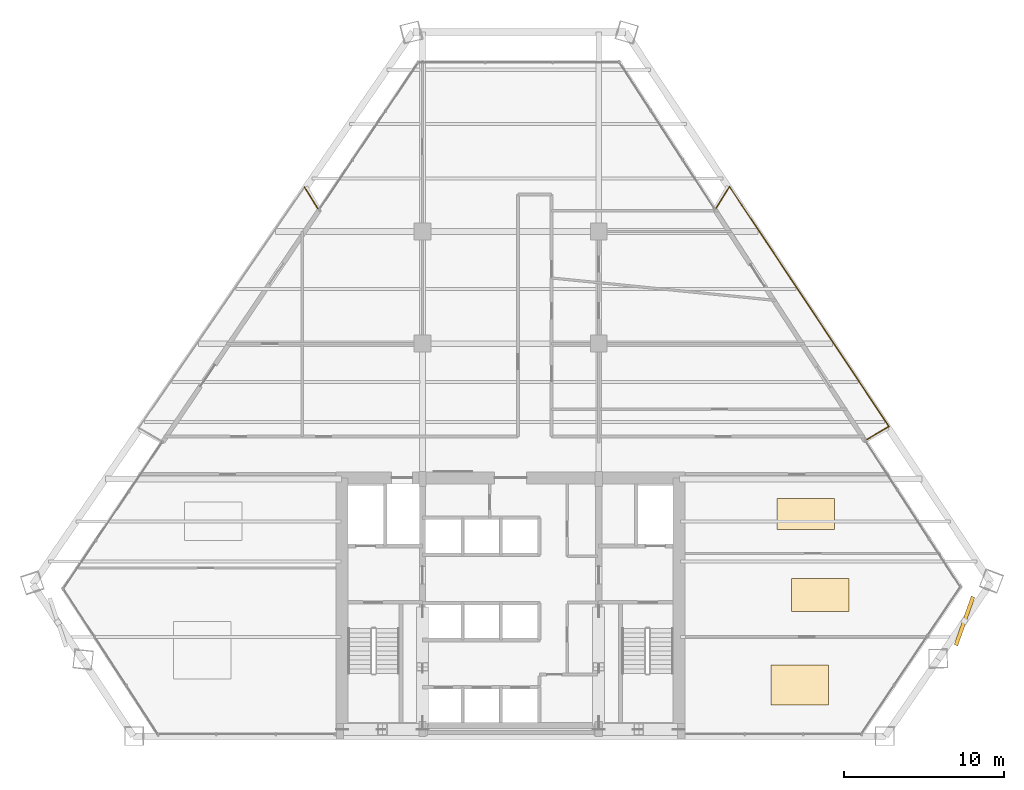
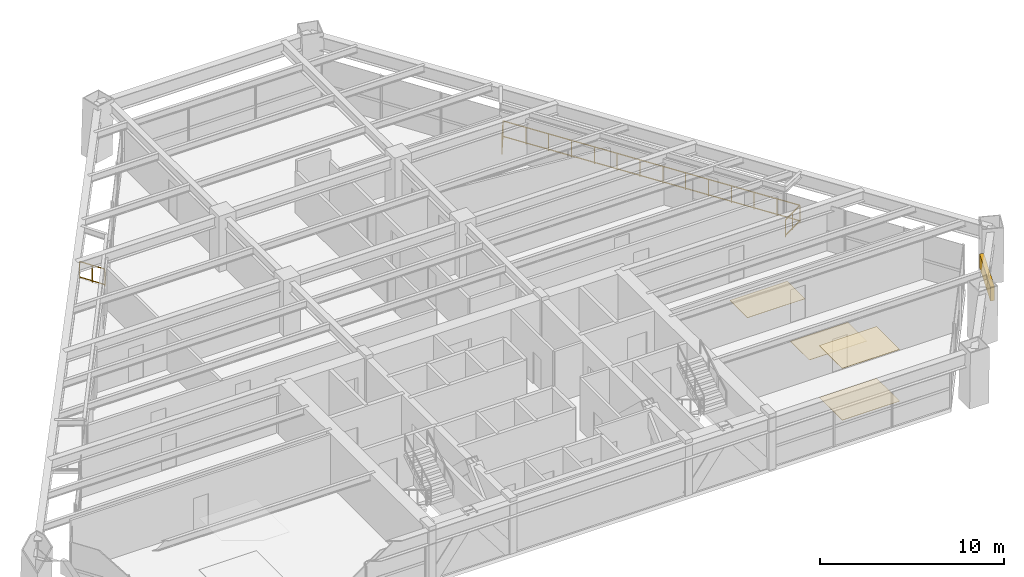
# One storey, part 14 of 14: 4 coverings, 4 railings, 1 shading device.
"""IFC4 building model written with IfcOpenShell, lengths in metres."""

from ifc_helpers import new_model, si_unit, direction, frame, origin, origin_2d, place, context, subcontext, project, spatial, rectangle, extrude, source, transform, mapped, material, layer, layer_set, type_object, type_shapes, element, save


model = new_model("IFC4")

# Units and contexts
model_context = context("Model", 3, precision=1e-05, world=origin(), true_north=direction((0.0, 1.0)))
body_context = subcontext(model_context, "Body", "Model", "MODEL_VIEW")
ifc_project = project(units=[si_unit("LENGTHUNIT", "METRE"), si_unit("AREAUNIT", "SQUARE_METRE"), si_unit("VOLUMEUNIT", "CUBIC_METRE"), si_unit("PLANEANGLEUNIT", "RADIAN"), si_unit("MASSUNIT", "GRAM", prefix="KILO")], contexts=[model_context])

# Site, building, storey
site_placement = place(None, origin())
site = spatial("IfcSite", under=ifc_project, at=site_placement, CompositionType="ELEMENT")
building_placement = place(site_placement, origin())
building = spatial("IfcBuilding", under=site, at=building_placement, Name="Varnakhor Terracotta Tower", CompositionType="ELEMENT")
storey_placement = place(building_placement, frame((0.0, 0.0, 87.699951171875)))
storey = spatial("IfcBuildingStorey", under=building, at=storey_placement, Name="L21", CompositionType="ELEMENT", Elevation=87.699951171875)

# Railings
ifc_material_1 = material(Name="Stainless Steel & Laminated Glass Guardrail", Category="steel")
railing_type = type_object("IfcRailingType", Name="RLG-LOGGIA-GUARD-1150", PredefinedType="GUARDRAIL", material=ifc_material_1)
railing_1_placement = place(storey_placement, frame((12.8369140625, 32.975830078125, 0.0)))
element("IfcRailing", 1, at=railing_1_placement, inside=storey, type_object=railing_type, Name="L21 E Loggia Glass Guard 1", PredefinedType="GUARDRAIL", context=body_context, shape_type="SweptSolid", body=[
    extrude(rectangle(XDim=0.048095703125, YDim=0.048095703125, at=origin_2d()), frame((0.0, 0.0, 1.1259765625), z_axis=(0.531605858248, 0.846991860337, 0.0), x_axis=(-0.846991860337, 0.531605858248, 0.0)), (0.0, 0.0, 1.0), 1.555908203125),
    extrude(rectangle(XDim=0.048095703125, YDim=0.048095703125, at=origin_2d()), frame((0.0, 0.0, 0.10009765625), z_axis=(0.531605858248, 0.846991860337, 0.0), x_axis=(-0.846991860337, 0.531605858248, 0.0)), (0.0, 0.0, 1.0), 1.555908203125),
    extrude(rectangle(XDim=0.0419921875, YDim=0.0419921875, at=origin_2d()), origin(), (0.0, 0.0, 1.0), 1.101806640625),
    extrude(rectangle(XDim=0.0419921875, YDim=0.0419921875, at=origin_2d()), frame((0.41357421875, 0.658935546875, 0.0)), (0.0, 0.0, 1.0), 1.101806640625),
    extrude(rectangle(XDim=0.0419921875, YDim=0.0419921875, at=origin_2d()), frame((0.8271484375, 1.31787109375, 0.0)), (0.0, 0.0, 1.0), 1.101806640625),
])
railing_2_placement = place(storey_placement, frame((13.6640625, 34.293701171875, 0.0)))
element("IfcRailing", 2, at=railing_2_placement, inside=storey, type_object=railing_type, Name="L21 E Loggia Glass Guard 2", PredefinedType="GUARDRAIL", context=body_context, shape_type="SweptSolid", body=[
    extrude(rectangle(XDim=0.048095703125, YDim=0.048095703125, at=origin_2d()), frame((0.0, 0.0, 1.1259765625), z_axis=(0.553696447001, -0.832718586666, 0.0), x_axis=(0.832718586666, 0.553696447001, 0.0)), (0.0, 0.0, 1.0), 17.96875),
    extrude(rectangle(XDim=0.048095703125, YDim=0.048095703125, at=origin_2d()), frame((0.0, 0.0, 0.10009765625), z_axis=(0.553696447001, -0.832718586666, 0.0), x_axis=(0.832718586666, 0.553696447001, 0.0)), (0.0, 0.0, 1.0), 17.96875),
    extrude(rectangle(XDim=0.0419921875, YDim=0.0419921875, at=origin_2d()), origin(), (0.0, 0.0, 1.0), 1.101806640625),
    extrude(rectangle(XDim=0.0419921875, YDim=0.0419921875, at=origin_2d()), frame((0.765380859375, -1.15087890625, 0.0)), (0.0, 0.0, 1.0), 1.101806640625),
    extrude(rectangle(XDim=0.0419921875, YDim=0.0419921875, at=origin_2d()), frame((1.53076171875, -2.302001953125, 0.0)), (0.0, 0.0, 1.0), 1.101806640625),
    extrude(rectangle(XDim=0.0419921875, YDim=0.0419921875, at=origin_2d()), frame((2.2958984375, -3.452880859375, 0.0)), (0.0, 0.0, 1.0), 1.101806640625),
    extrude(rectangle(XDim=0.0419921875, YDim=0.0419921875, at=origin_2d()), frame((3.061279296875, -4.60400390625, 0.0)), (0.0, 0.0, 1.0), 1.101806640625),
    extrude(rectangle(XDim=0.0419921875, YDim=0.0419921875, at=origin_2d()), frame((3.82666015625, -5.7548828125, 0.0)), (0.0, 0.0, 1.0), 1.101806640625),
    extrude(rectangle(XDim=0.0419921875, YDim=0.0419921875, at=origin_2d()), frame((4.592041015625, -6.906005859375, 0.0)), (0.0, 0.0, 1.0), 1.101806640625),
    extrude(rectangle(XDim=0.0419921875, YDim=0.0419921875, at=origin_2d()), frame((5.357177734375, -8.056884765625, 0.0)), (0.0, 0.0, 1.0), 1.101806640625),
    extrude(rectangle(XDim=0.0419921875, YDim=0.0419921875, at=origin_2d()), frame((6.12255859375, -9.2080078125, 0.0)), (0.0, 0.0, 1.0), 1.101806640625),
    extrude(rectangle(XDim=0.0419921875, YDim=0.0419921875, at=origin_2d()), frame((6.887939453125, -10.35888671875, 0.0)), (0.0, 0.0, 1.0), 1.101806640625),
    extrude(rectangle(XDim=0.0419921875, YDim=0.0419921875, at=origin_2d()), frame((7.6533203125, -11.510009765625, 0.0)), (0.0, 0.0, 1.0), 1.101806640625),
    extrude(rectangle(XDim=0.0419921875, YDim=0.0419921875, at=origin_2d()), frame((8.41845703125, -12.660888671875, 0.0)), (0.0, 0.0, 1.0), 1.101806640625),
    extrude(rectangle(XDim=0.0419921875, YDim=0.0419921875, at=origin_2d()), frame((9.183837890625, -13.81201171875, 0.0)), (0.0, 0.0, 1.0), 1.101806640625),
    extrude(rectangle(XDim=0.0419921875, YDim=0.0419921875, at=origin_2d()), frame((9.94921875, -14.962890625, 0.0)), (0.0, 0.0, 1.0), 1.101806640625),
])
railing_3_placement = place(storey_placement, frame((23.61328125, 19.330810546875, 0.0)))
element("IfcRailing", 3, at=railing_3_placement, inside=storey, type_object=railing_type, Name="L21 E Loggia Glass Guard 3", PredefinedType="GUARDRAIL", context=body_context, shape_type="SweptSolid", body=[
    extrude(rectangle(XDim=0.048095703125, YDim=0.048095703125, at=origin_2d()), frame((0.0, 0.0, 1.1259765625), z_axis=(-0.859894530215, -0.510471739577, 0.0), x_axis=(0.510471739577, -0.859894530215, 0.0)), (0.0, 0.0, 1.0), 1.599365234375),
    extrude(rectangle(XDim=0.048095703125, YDim=0.048095703125, at=origin_2d()), frame((0.0, 0.0, 0.10009765625), z_axis=(-0.859894530215, -0.510471739577, 0.0), x_axis=(0.510471739577, -0.859894530215, 0.0)), (0.0, 0.0, 1.0), 1.599365234375),
    extrude(rectangle(XDim=0.0419921875, YDim=0.0419921875, at=origin_2d()), origin(), (0.0, 0.0, 1.0), 1.101806640625),
    extrude(rectangle(XDim=0.0419921875, YDim=0.0419921875, at=origin_2d()), frame((-0.6875, -0.408203125, 0.0)), (0.0, 0.0, 1.0), 1.101806640625),
    extrude(rectangle(XDim=0.0419921875, YDim=0.0419921875, at=origin_2d()), frame((-1.375244140625, -0.81640625, 0.0)), (0.0, 0.0, 1.0), 1.101806640625),
])
railing_4_placement = place(storey_placement, frame((-12.8720703125, 34.262939453125, 0.0)))
element("IfcRailing", 4, at=railing_4_placement, inside=storey, type_object=railing_type, Name="L21 W Loggia Glass Guard 3", PredefinedType="GUARDRAIL", context=body_context, shape_type="SweptSolid", body=[
    extrude(rectangle(XDim=0.048095703125, YDim=0.048095703125, at=origin_2d()), frame((0.0, 0.0, 1.1259765625), z_axis=(0.532717574823, -0.846293084856, 0.0), x_axis=(0.846293084856, 0.532717574823, 0.0)), (0.0, 0.0, 1.0), 1.556396484375),
    extrude(rectangle(XDim=0.048095703125, YDim=0.048095703125, at=origin_2d()), frame((0.0, 0.0, 0.10009765625), z_axis=(0.532717574823, -0.846293084856, 0.0), x_axis=(0.846293084856, 0.532717574823, 0.0)), (0.0, 0.0, 1.0), 1.556396484375),
    extrude(rectangle(XDim=0.0419921875, YDim=0.0419921875, at=origin_2d()), origin(), (0.0, 0.0, 1.0), 1.101806640625),
    extrude(rectangle(XDim=0.0419921875, YDim=0.0419921875, at=origin_2d()), frame((0.41455078125, -0.65869140625, 0.0)), (0.0, 0.0, 1.0), 1.101806640625),
    extrude(rectangle(XDim=0.0419921875, YDim=0.0419921875, at=origin_2d()), frame((0.8291015625, -1.317138671875, 0.0)), (0.0, 0.0, 1.0), 1.101806640625),
])

# Shading device
ifc_material_2 = material(Name="Extruded Architectural Terracotta Screen", Category="masonry")
shading_device_type = type_object("IfcShadingDeviceType", Name="TERRACOTTA SOLAR SCREEN E", PredefinedType="USERDEFINED", material=ifc_material_2)
shared_shape_1 = source(origin(), body_context, "Body", "SweptSolid", [
    extrude(rectangle(XDim=3.199951171875, YDim=0.239990234375, at=origin_2d()), origin(), (0.0, 0.0, 1.0), 0.919921875),
])
type_shapes(shading_device_type, [shared_shape_1])
shading_device_placement = place(storey_placement, frame((28.332763671875, 7.18505859375, 1.6181640625), z_axis=(0.0, 0.0, 1.0), x_axis=(0.334037180034, 0.94255989855, 0.0)))
element("IfcShadingDevice", 5, at=shading_device_placement, inside=storey, type_object=shading_device_type, Name="L21 E Terracotta Solar Screen", ObjectType="SCREEN", PredefinedType="USERDEFINED", context=body_context, shape_type="MappedRepresentation", body=[
    mapped(shared_shape_1, transform((0.0, 0.0, 0.0), scale=1.0)),
])

# Coverings
ifc_material_3 = material(Name="Honed Riyadh Limestone Flooring", Category="masonry")
ifc_layer_1 = layer(ifc_material_3, 0.030029296875, Name="Honed Riyadh Limestone Flooring")
ifc_layer_set_1 = layer_set([ifc_layer_1], Name="Honed Riyadh Limestone Flooring")
covering_type_1 = type_object("IfcCoveringType", Name="COV-FLOOR-LIMESTONE", PredefinedType="FLOORING", material=ifc_layer_set_1)
shared_shape_2 = source(origin(), body_context, "Body", "SweptSolid", [
    extrude(rectangle(XDim=3.60009765625, YDim=2.4990234375, at=origin_2d()), origin(), (0.0, 0.0, 1.0), 0.02001953125),
])
covering_1_placement = place(storey_placement, frame((18.0390625, 3.201904296875, 0.0), z_axis=(0.0, 0.0, 1.0), x_axis=(1.0, 0.0, 0.0)))
element("IfcCovering", 6, at=covering_1_placement, inside=storey, type_object=covering_type_1, Name="L21 Honed Stone Flooring 1", PredefinedType="FLOORING", context=body_context, shape_type="MappedRepresentation", body=[
    mapped(shared_shape_2, transform((0.0, 0.0, 0.0), scale=1.0)),
])
ifc_material_4 = material(Name="Perforated Acoustic Mineral-Fibre Ceiling", Category="gypsum")
ifc_layer_2 = layer(ifc_material_4, 0.02490234375, Name="Perforated Acoustic Mineral-Fibre Ceiling")
ifc_layer_set_2 = layer_set([ifc_layer_2], Name="Perforated Acoustic Mineral-Fibre Ceiling")
covering_type_2 = type_object("IfcCoveringType", Name="COV-CEILING-ACOUSTIC", PredefinedType="CEILING", material=ifc_layer_set_2)
shared_shape_3 = source(origin(), body_context, "Body", "SweptSolid", [
    extrude(rectangle(XDim=3.60009765625, YDim=2.4990234375, at=origin_2d()), origin(), (0.0, 0.0, 1.0), 0.02392578125),
])
covering_2_placement = place(storey_placement, frame((18.0390625, 3.201904296875, 3.426025390625), z_axis=(0.0, 0.0, 1.0), x_axis=(1.0, 0.0, 0.0)))
element("IfcCovering", 7, at=covering_2_placement, inside=storey, type_object=covering_type_2, Name="L21 Acoustic Ceiling Panel 1", PredefinedType="CEILING", context=body_context, shape_type="MappedRepresentation", body=[
    mapped(shared_shape_3, transform((0.0, 0.0, 0.0), scale=1.0)),
])
shared_shape_4 = source(origin(), body_context, "Body", "SweptSolid", [
    extrude(rectangle(XDim=3.60009765625, YDim=2.06103515625, at=origin_2d()), origin(), (0.0, 0.0, 1.0), 0.02001953125),
])
covering_3_placement = place(storey_placement, frame((19.337890625, 8.800048828125, 0.0), z_axis=(0.0, 0.0, 1.0), x_axis=(1.0, 0.0, 0.0)))
element("IfcCovering", 8, at=covering_3_placement, inside=storey, type_object=covering_type_1, Name="L21 Honed Stone Flooring 3", PredefinedType="FLOORING", context=body_context, shape_type="MappedRepresentation", body=[
    mapped(shared_shape_4, transform((0.0, 0.0, 0.0), scale=1.0)),
])
shared_shape_5 = source(origin(), body_context, "Body", "SweptSolid", [
    extrude(rectangle(XDim=3.60009765625, YDim=1.912109375, at=origin_2d()), origin(), (0.0, 0.0, 1.0), 0.02001953125),
])
covering_4_placement = place(storey_placement, frame((18.426025390625, 13.864013671875, 0.0), z_axis=(0.0, 0.0, 1.0), x_axis=(1.0, 0.0, 0.0)))
element("IfcCovering", 9, at=covering_4_placement, inside=storey, type_object=covering_type_1, Name="L21 Honed Stone Flooring 5", PredefinedType="FLOORING", context=body_context, shape_type="MappedRepresentation", body=[
    mapped(shared_shape_5, transform((0.0, 0.0, 0.0), scale=1.0)),
])

save(model, "model.ifc")
